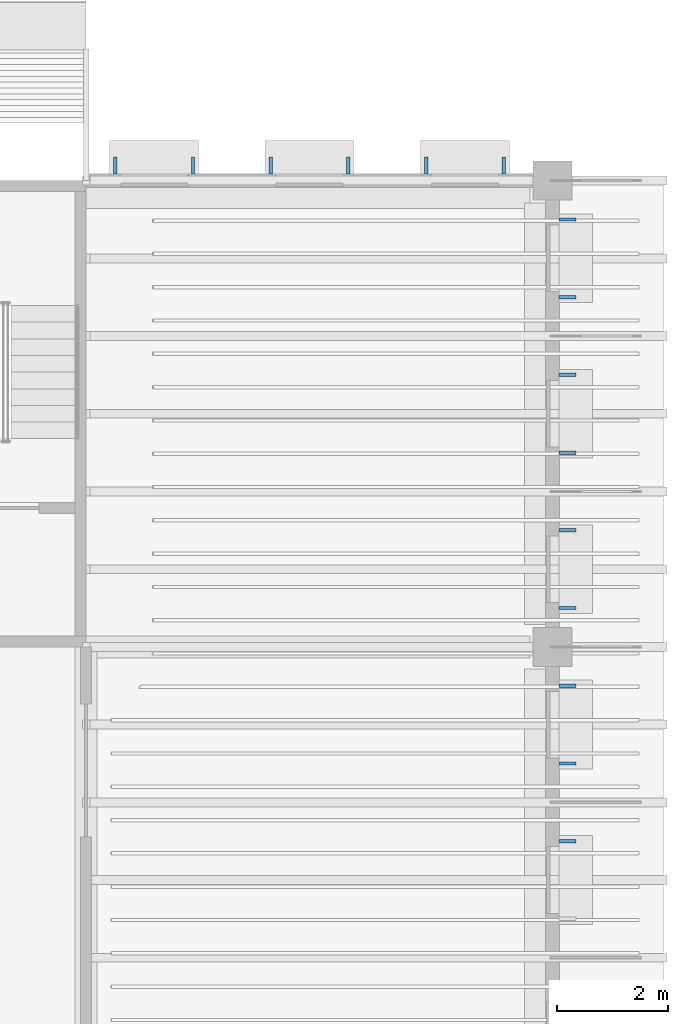
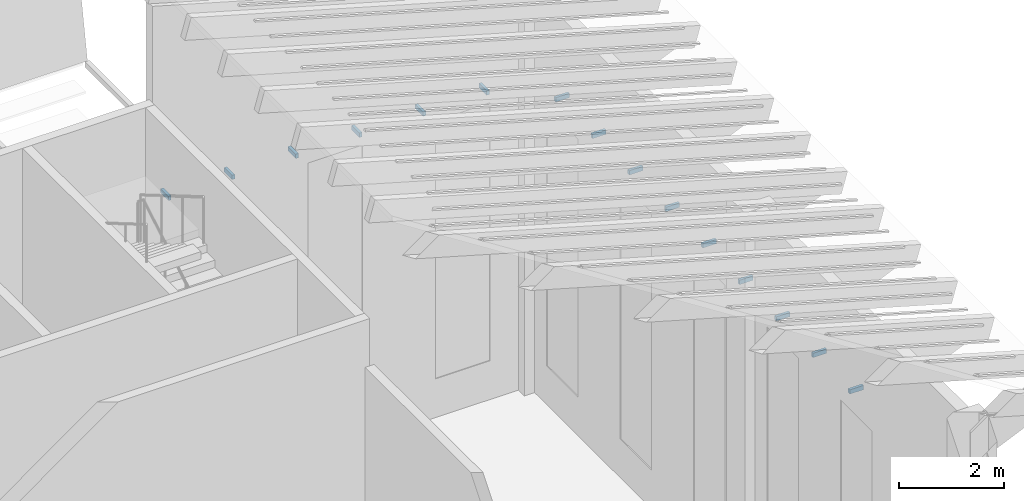
# One storey, part 70 of 114: 15 discrete accessories.
"""IFC4 building model written with IfcOpenShell, lengths in metres."""

from ifc_helpers import new_model, si_unit, direction, frame, origin, origin_2d, place, context, subcontext, project, spatial, rectangle, extrude, material, type_object, element, save


model = new_model("IFC4")

# Units and contexts
model_context = context("Model", 3, precision=1e-05, world=origin(), true_north=direction((0.0, 1.0)))
body_context = subcontext(model_context, "Body", "Model", "MODEL_VIEW")
ifc_project = project(units=[si_unit("LENGTHUNIT", "METRE"), si_unit("AREAUNIT", "SQUARE_METRE"), si_unit("VOLUMEUNIT", "CUBIC_METRE"), si_unit("PLANEANGLEUNIT", "RADIAN"), si_unit("MASSUNIT", "GRAM", prefix="KILO")], contexts=[model_context])

# Site, building, storey
site_placement = place(None, origin())
site = spatial("IfcSite", under=ifc_project, at=site_placement, CompositionType="ELEMENT")
building_placement = place(site_placement, origin())
building = spatial("IfcBuilding", under=site, at=building_placement, Name="Almond Square Museum", CompositionType="ELEMENT")
storey_placement = place(building_placement, frame((0.0, 0.0, 10.5)))
storey = spatial("IfcBuildingStorey", under=building, at=storey_placement, Name="L02", CompositionType="ELEMENT", Elevation=10.5)

# Discrete accessories
ifc_material = material(Name="Stainless steel", Category="steel")
discrete_accessory_type = type_object("IfcDiscreteAccessoryType", Name="Sun-shade blade bracket", PredefinedType="BRACKET", material=ifc_material)
for number, where, z_axis, x_axis, name in (
    (1, (157.472900390625, 97.300048828125, 6.89697265625), (0.0, 0.0, 1.0), (1.0, 0.0, 0.0), "Bracket sun-shade blade"),
    (2, (157.472900390625, 98.699951171875, 6.89697265625), (0.0, 0.0, 1.0), (1.0, 0.0, 0.0), "Bracket sun-shade blade"),
    (3, (157.472900390625, 100.10009765625, 6.89697265625), (0.0, 0.0, 1.0), (1.0, 0.0, 0.0), "Bracket sun-shade blade"),
    (4, (157.472900390625, 101.5, 6.89697265625), (0.0, 0.0, 1.0), (1.0, 0.0, 0.0), "Bracket sun-shade blade"),
    (5, (157.472900390625, 102.89990234375, 6.89697265625), (0.0, 0.0, 1.0), (1.0, 0.0, 0.0), "Bracket sun-shade blade"),
    (6, (157.472900390625, 104.300048828125, 6.89697265625), (0.0, 0.0, 1.0), (1.0, 0.0, 0.0), "Bracket sun-shade blade"),
    (7, (157.472900390625, 105.699951171875, 6.89697265625), (0.0, 0.0, 1.0), (1.0, 0.0, 0.0), "Bracket sun-shade blade"),
    (8, (157.472900390625, 107.10009765625, 6.89697265625), (0.0, 0.0, 1.0), (1.0, 0.0, 0.0), "Bracket sun-shade blade"),
    (9, (157.472900390625, 108.5, 6.89697265625), (0.0, 0.0, 1.0), (1.0, 0.0, 0.0), "Bracket sun-shade blade"),
):
    element("IfcDiscreteAccessory", number, at=place(storey_placement, frame(where, z_axis=z_axis, x_axis=x_axis)), inside=storey, type_object=discrete_accessory_type, Name=name, PredefinedType="BRACKET", context=body_context, shape_type="SweptSolid", body=[
        extrude(rectangle(XDim=0.300048828125, YDim=0.06005859375, at=origin_2d()), origin(), (0.0, 0.0, 1.0), 0.10009765625),
    ])
for number, where, z_axis, x_axis, name in (
    (10, (149.324951171875, 109.472900390625, 6.89697265625), (0.0, 0.0, 1.0), (1.0, 0.0, 0.0), "Bracket sun-shade blade"),
    (11, (150.72509765625, 109.472900390625, 6.89697265625), (0.0, 0.0, 1.0), (1.0, 0.0, 0.0), "Bracket sun-shade blade"),
    (12, (152.125, 109.472900390625, 6.89697265625), (0.0, 0.0, 1.0), (1.0, 0.0, 0.0), "Bracket sun-shade blade"),
    (13, (153.52490234375, 109.472900390625, 6.89697265625), (0.0, 0.0, 1.0), (1.0, 0.0, 0.0), "Bracket sun-shade blade"),
    (14, (154.925048828125, 109.472900390625, 6.89697265625), (0.0, 0.0, 1.0), (1.0, 0.0, 0.0), "Bracket sun-shade blade"),
    (15, (156.324951171875, 109.472900390625, 6.89697265625), (0.0, 0.0, 1.0), (1.0, 0.0, 0.0), "Bracket sun-shade blade"),
):
    element("IfcDiscreteAccessory", number, at=place(storey_placement, frame(where, z_axis=z_axis, x_axis=x_axis)), inside=storey, type_object=discrete_accessory_type, Name=name, PredefinedType="BRACKET", context=body_context, shape_type="SweptSolid", body=[
        extrude(rectangle(XDim=0.06005859375, YDim=0.300048828125, at=origin_2d()), origin(), (0.0, 0.0, 1.0), 0.10009765625),
    ])

save(model, "model.ifc")
